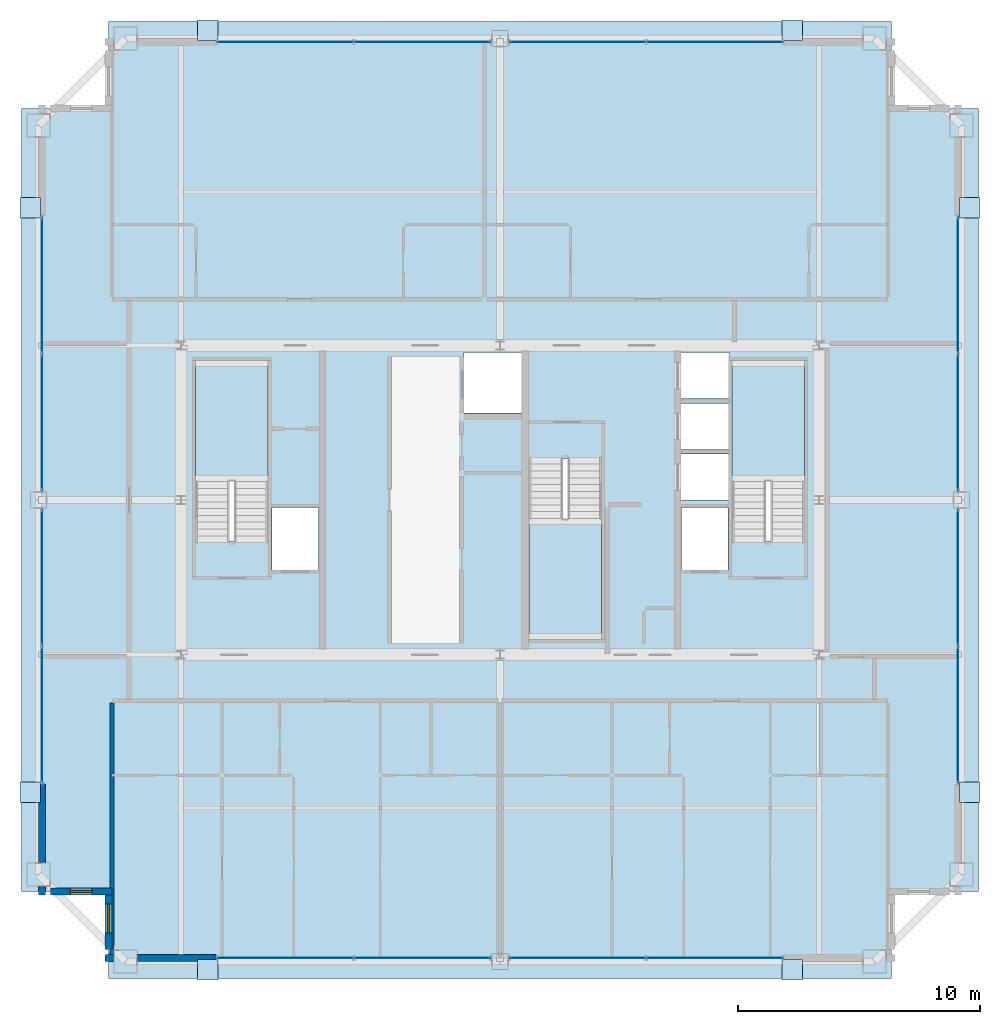
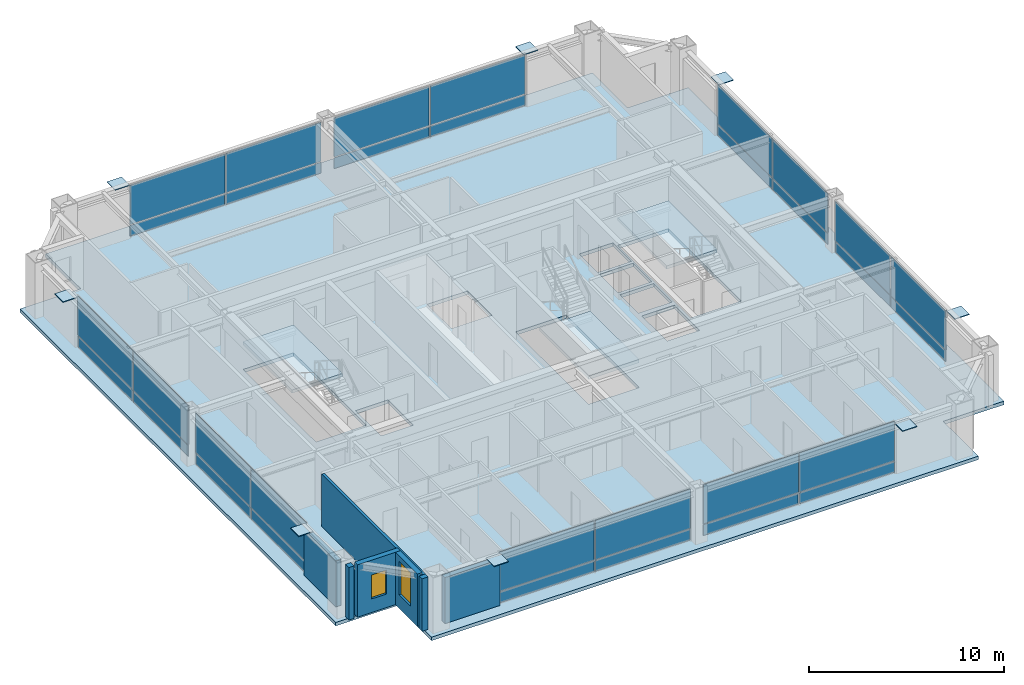
# One storey, part 29 of 34: 40 plates, 7 walls, 4 slabs, 2 windows, 2 openings, 11 elements without a shape of their own.
"""IFC4 building model written with IfcOpenShell, lengths in metres."""

import ifcopenshell
import ifcopenshell.guid

model = None  # the IFC model being written
_history = None  # IfcOwnerHistory: only IFC2X3 demands one
_inside = {}  # id of a spatial element -> (the spatial element, [elements in it])
_under = {}  # id of a project, library or spatial element -> (it, [spatial elements below it])
_declared = {}  # id of a project -> (the project, [libraries it declares])
_typed = {}  # id of a type object -> (the type object, [elements of that type])
_made_of = {}  # id of a material, layer set ... -> (it, [elements and type objects made of it])


def new_model(schema):
    """Start an empty IFC model of exactly this schema.

    Asked for "IFC4X3", IfcOpenShell would pick the latest addendum, in which some entities
    have other attributes; the version numbers below select the first issue.
    IFC2X3 requires an IfcOwnerHistory on every rooted entity: one is made here for all.
    """
    global model, _history
    if schema == "IFC4X3":
        model = ifcopenshell.file(schema_version=(4, 3, 0, 0))
    else:
        model = ifcopenshell.file(schema=schema)
    _inside.clear()
    _under.clear()
    _declared.clear()
    _typed.clear()
    _made_of.clear()
    _history = None
    if model.schema == "IFC2X3":
        org = make("IfcOrganization", Name="unknown")
        user = make(
            "IfcPersonAndOrganization",
            ThePerson=make("IfcPerson", FamilyName="unknown"),
            TheOrganization=org,
        )
        app = make(
            "IfcApplication",
            ApplicationDeveloper=org,
            Version="unknown",
            ApplicationFullName="unknown",
            ApplicationIdentifier="unknown",
        )
        _history = make(
            "IfcOwnerHistory",
            OwningUser=user,
            OwningApplication=app,
            ChangeAction="ADDED",
            CreationDate=0,
        )
    return model


def make(cls, **values):
    """One entity of the class cls with the attributes given. An attribute that is None is left unset."""
    return model.create_entity(
        cls, **{name: value for name, value in values.items() if value is not None}
    )


def rooted(cls, **values):
    """An entity with a GlobalId (a new one), such as an element, a storey or a relation."""
    return make(cls, GlobalId=ifcopenshell.guid.new(), OwnerHistory=_history, **values)


def si_unit(unit_type, name, prefix=None):
    """IfcSIUnit, for example si_unit("LENGTHUNIT", "METRE", prefix="MILLI")."""
    return make("IfcSIUnit", UnitType=unit_type, Prefix=prefix, Name=name)


def assignment(units):
    """IfcUnitAssignment: the units of a project."""
    return None if units is None else make("IfcUnitAssignment", Units=units)


def point(xyz):
    """IfcCartesianPoint."""
    return None if xyz is None else make("IfcCartesianPoint", Coordinates=xyz)


def direction(xyz):
    """IfcDirection."""
    return None if xyz is None else make("IfcDirection", DirectionRatios=xyz)


def frame(location, z_axis=None, x_axis=None):
    """IfcAxis2Placement3D, a coordinate frame: its origin and axes. An axis left out is left unset."""
    return make(
        "IfcAxis2Placement3D",
        Location=point(location),
        Axis=direction(z_axis),
        RefDirection=direction(x_axis),
    )


def frame_2d(location, x_axis=None):
    """IfcAxis2Placement2D, a coordinate frame in the plane: its origin and x axis."""
    return make(
        "IfcAxis2Placement2D", Location=point(location), RefDirection=direction(x_axis)
    )


def origin():
    """The frame at (0, 0, 0) with its axes left unset."""
    return frame((0.0, 0.0, 0.0))


def origin_2d():
    """The frame at (0, 0) in the plane with its x axis left unset."""
    return frame_2d((0.0, 0.0))


def place(relative_to, where):
    """IfcLocalPlacement: puts the frame where relative to a parent placement (None: the world)."""
    return make(
        "IfcLocalPlacement", PlacementRelTo=relative_to, RelativePlacement=where
    )


def context(
    kind, dimensions, precision=None, world=None, true_north=None, identifier=None
):
    """IfcGeometricRepresentationContext, for example the 3D "Model" context."""
    return make(
        "IfcGeometricRepresentationContext",
        ContextIdentifier=identifier,
        ContextType=kind,
        CoordinateSpaceDimension=dimensions,
        Precision=precision,
        WorldCoordinateSystem=world,
        TrueNorth=true_north,
    )


def subcontext(parent, identifier, kind, view, scale=None):
    """IfcGeometricRepresentationSubContext, for example "Body" below "Model"."""
    return make(
        "IfcGeometricRepresentationSubContext",
        ContextIdentifier=identifier,
        ContextType=kind,
        ParentContext=parent,
        TargetScale=scale,
        TargetView=view,
    )


def project(units=None, contexts=None):
    """IfcProject with its units and contexts."""
    return rooted(
        "IfcProject",
        Name="project",
        RepresentationContexts=contexts,
        UnitsInContext=assignment(units),
    )


def spatial(cls, under=None, at=None, **own):
    """A site, building, storey or space (cls), placed at a placement, below another one or the project."""
    s = rooted(cls, ObjectPlacement=at, **own)
    if under is not None:
        _under.setdefault(under.id(), (under, []))[1].append(s)
    return s


def polyline(points):
    """IfcPolyline through the points."""
    return make("IfcPolyline", Points=[point(p) for p in points])


def profile(cls, at=None, kind="AREA", **sizes):
    """A parametric profile (cls). Its sizes go by their IFC names, for example OverallWidth=200.0."""
    return make(cls, ProfileType=kind, Position=at, **sizes)


def rectangle(**sizes):
    """IfcRectangleProfileDef."""
    return profile("IfcRectangleProfileDef", **sizes)


def outline(outer, holes=None, kind="AREA"):
    """IfcArbitraryClosedProfileDef: a profile drawn as a closed curve; with holes, ...WithVoids."""
    if holes is None:
        return make("IfcArbitraryClosedProfileDef", ProfileType=kind, OuterCurve=outer)
    return make(
        "IfcArbitraryProfileDefWithVoids",
        ProfileType=kind,
        OuterCurve=outer,
        InnerCurves=holes,
    )


def extrude(swept, where, along, depth):
    """IfcExtrudedAreaSolid: the profile swept, set in the frame where, extruded along a direction by depth."""
    return make(
        "IfcExtrudedAreaSolid",
        SweptArea=swept,
        Position=where,
        ExtrudedDirection=direction(along),
        Depth=depth,
    )


def shape(context_of_items, identifier, shape_type, items):
    """IfcShapeRepresentation: the items that make up one representation, for example the "Body"."""
    return make(
        "IfcShapeRepresentation",
        ContextOfItems=context_of_items,
        RepresentationIdentifier=identifier,
        RepresentationType=shape_type,
        Items=items,
    )


def source(mapping_origin, context_of_items, identifier, shape_type, items):
    """IfcRepresentationMap: a shape defined once, which mapped items show again and again."""
    return make(
        "IfcRepresentationMap",
        MappingOrigin=mapping_origin,
        MappedRepresentation=shape(context_of_items, identifier, shape_type, items),
    )


def transform(
    local_origin,
    x_axis=None,
    y_axis=None,
    z_axis=None,
    scale=None,
    scale2=None,
    scale3=None,
    uniform=True,
):
    """IfcCartesianTransformationOperator3D, or its non-uniform kind. x_axis, y_axis, z_axis: its Axis1, 2, 3."""
    if uniform:
        return make(
            "IfcCartesianTransformationOperator3D",
            Axis1=direction(x_axis),
            Axis2=direction(y_axis),
            LocalOrigin=point(local_origin),
            Scale=scale,
            Axis3=direction(z_axis),
        )
    return make(
        "IfcCartesianTransformationOperator3DnonUniform",
        Axis1=direction(x_axis),
        Axis2=direction(y_axis),
        LocalOrigin=point(local_origin),
        Scale=scale,
        Axis3=direction(z_axis),
        Scale2=scale2,
        Scale3=scale3,
    )


def mapped(mapping_source, mapping_target):
    """IfcMappedItem: shows the shape of a source again, moved by a transform."""
    return make(
        "IfcMappedItem", MappingSource=mapping_source, MappingTarget=mapping_target
    )


def material(Name=None, Category=None):
    """IfcMaterial."""
    return make("IfcMaterial", Name=Name, Category=Category)


def layer(
    of_material, thickness, ventilated=None, Name=None, Category=None, Priority=None
):
    """IfcMaterialLayer: one layer of a wall or slab, of a material (None: an air gap)."""
    return make(
        "IfcMaterialLayer",
        Material=of_material,
        LayerThickness=thickness,
        IsVentilated=ventilated,
        Name=Name,
        Category=Category,
        Priority=Priority,
    )


def layer_set(layers, Name=None):
    """IfcMaterialLayerSet."""
    return make("IfcMaterialLayerSet", MaterialLayers=layers, LayerSetName=Name)


def made_of(thing, what):
    """Note that an element or type object is made of a material, layer set ...; save() writes the relation."""
    if what is not None:
        _made_of.setdefault(what.id(), (what, []))[1].append(thing)
    return thing


def type_object(cls, material=None, **own):
    """A type object (cls), such as IfcWallType, which elements share."""
    return made_of(rooted(cls, **own), material)


def element(
    cls,
    number,
    at=None,
    inside=None,
    cuts=None,
    type_object=None,
    material=None,
    context=None,
    identifier="Body",
    shape_type=None,
    held_by="IfcProductDefinitionShape",
    body=None,
    shapes=None,
    **own,
):
    """One element of the class cls, such as IfcWall. Its Tag is "e" and its number.

    at: its placement. inside: the storey or other place that contains it. cuts: it is an
    opening in that element (IfcRelVoidsElement). A single representation is given by context,
    identifier, shape_type and body (its items); several are given by shapes. held_by: the class
    of the entity that holds the representations. save() writes the other relations.
    """
    e = rooted(cls, Tag="e%d" % number, ObjectPlacement=at, **own)
    if body is not None:
        shapes = [shape(context, identifier, shape_type, body)]
    if shapes is not None:
        e.Representation = make(held_by, Representations=shapes)
    if inside is not None:
        _inside.setdefault(inside.id(), (inside, []))[1].append(e)
    if cuts is not None:
        rooted(
            "IfcRelVoidsElement", RelatingBuildingElement=cuts, RelatedOpeningElement=e
        )
    if type_object is not None:
        _typed.setdefault(type_object.id(), (type_object, []))[1].append(e)
    return made_of(e, material)


def fill(opening, filler):
    """IfcRelFillsElement: the door or window that sits in an opening."""
    return rooted(
        "IfcRelFillsElement",
        RelatingOpeningElement=opening,
        RelatedBuildingElement=filler,
    )


def aggregate(whole, parts):
    """IfcRelAggregates: a whole, such as a stair, and the parts it consists of."""
    return rooted("IfcRelAggregates", RelatingObject=whole, RelatedObjects=parts)


def save(model, path):
    """Write the relations noted so far, then the file.

    IfcRelAggregates (storeys below a building ...), IfcRelContainedInSpatialStructure (elements
    in a storey), IfcRelDefinesByType, IfcRelAssociatesMaterial and IfcRelDeclares: one each for
    every whole, place, type object, material and project.
    """
    for whole, parts in _under.values():
        aggregate(whole, parts)
    for where, things in _inside.values():
        rooted(
            "IfcRelContainedInSpatialStructure",
            RelatedElements=things,
            RelatingStructure=where,
        )
    for kind, things in _typed.values():
        rooted("IfcRelDefinesByType", RelatedObjects=things, RelatingType=kind)
    for what, things in _made_of.values():
        rooted("IfcRelAssociatesMaterial", RelatedObjects=things, RelatingMaterial=what)
    for by, libraries in _declared.values():
        rooted("IfcRelDeclares", RelatingContext=by, RelatedDefinitions=libraries)
    model.write(path)


model = new_model("IFC4")

# Units and contexts
model_context = context("Model", 3, precision=1e-05, world=origin(), true_north=direction((0.0, 1.0)))
body_context = subcontext(model_context, "Body", "Model", "MODEL_VIEW")
ifc_project = project(units=[si_unit("LENGTHUNIT", "METRE"), si_unit("AREAUNIT", "SQUARE_METRE"), si_unit("VOLUMEUNIT", "CUBIC_METRE"), si_unit("PLANEANGLEUNIT", "RADIAN"), si_unit("MASSUNIT", "GRAM", prefix="KILO"), si_unit("THERMODYNAMICTEMPERATUREUNIT", "KELVIN"), si_unit("POWERUNIT", "WATT")], contexts=[model_context])

# Site, building, storey
site_placement = place(None, origin())
site = spatial("IfcSite", under=ifc_project, at=site_placement, CompositionType="ELEMENT")
building_placement = place(site_placement, origin())
building = spatial("IfcBuilding", under=site, at=building_placement, Name="Yuzanri Waterfront Tower", CompositionType="ELEMENT")
storey_placement = place(building_placement, frame((0.0, 0.0, 325.199951171875)))
storey = spatial("IfcBuildingStorey", under=building, at=storey_placement, Name="L87", CompositionType="ELEMENT", Elevation=325.199951171875)

# Stair, slab
ifc_material_1 = material(Name="Concrete C40", Category="concrete")
stair_type = type_object("IfcStairType", Name="Concrete C40 Core Dogleg Exit Stair", PredefinedType="HALF_TURN_STAIR", material=ifc_material_1)
stair_1_placement = place(storey_placement, origin())
stair_1 = element("IfcStair", 1, at=stair_1_placement, inside=storey, type_object=stair_type, Name="L87 Smoke-Proof Core Stair ST-01", PredefinedType="HALF_TURN_STAIR")
ifc_material_2 = material(Name="Concrete C40", Category="concrete")
ifc_layer_1 = layer(ifc_material_2, 0.179931640625)
ifc_layer_set_1 = layer_set([ifc_layer_1], Name="Concrete C40")
slab_type_1 = type_object("IfcSlabType", Name="Concrete C40 Stair Half-Landing Slab 180", PredefinedType="LANDING", material=ifc_layer_set_1)
slab_1_placement = place(storey_placement, frame((0.0, 0.0, 1.550048828125)))
slab_1 = element("IfcSlab", 2, at=slab_1_placement, type_object=slab_type_1, Name="ST-01 landing 1", PredefinedType="LANDING", context=body_context, shape_type="SweptSolid", body=[
    extrude(outline(polyline([(27.39990234375, 26.56005859375), (27.39990234375, 31.580078125), (24.39990234375, 31.580078125), (24.39990234375, 26.56005859375), (27.39990234375, 26.56005859375)])), origin(), (0.0, 0.0, 1.0), 0.199951171875),
])
aggregate(stair_1, [slab_1])

stair_2_placement = place(storey_placement, origin())
stair_2 = element("IfcStair", 3, at=stair_2_placement, inside=storey, type_object=stair_type, Name="L87 Smoke-Proof Core Stair ST-02", PredefinedType="HALF_TURN_STAIR")
slab_2_placement = place(storey_placement, frame((0.0, 0.0, 1.550048828125)))
slab_2 = element("IfcSlab", 4, at=slab_2_placement, type_object=slab_type_1, Name="ST-02 landing 1", PredefinedType="LANDING", context=body_context, shape_type="SweptSolid", body=[
    extrude(outline(polyline([(49.60009765625, 26.56005859375), (49.60009765625, 31.580078125), (46.60009765625, 31.580078125), (46.60009765625, 26.56005859375), (49.60009765625, 26.56005859375)])), origin(), (0.0, 0.0, 1.0), 0.199951171875),
])
aggregate(stair_2, [slab_2])

stair_3_placement = place(storey_placement, origin())
stair_3 = element("IfcStair", 5, at=stair_3_placement, inside=storey, type_object=stair_type, Name="L87 Smoke-Proof Core Stair ST-03", PredefinedType="HALF_TURN_STAIR")
slab_3_placement = place(storey_placement, frame((0.0, 0.0, 1.550048828125)))
slab_3 = element("IfcSlab", 6, at=slab_3_placement, type_object=slab_type_1, Name="ST-03 landing 1", PredefinedType="LANDING", context=body_context, shape_type="SweptSolid", body=[
    extrude(outline(polyline([(38.199951171875, 25.0400390625), (38.199951171875, 20.02001953125), (41.199951171875, 20.02001953125), (41.199951171875, 25.0400390625), (38.199951171875, 25.0400390625)])), origin(), (0.0, 0.0, 1.0), 0.199951171875),
])
aggregate(stair_3, [slab_3])

# Slab
ifc_material_3 = material(Name="Concrete C40", Category="concrete")
ifc_layer_2 = layer(ifc_material_3, 0.219970703125)
ifc_layer_set_2 = layer_set([ifc_layer_2], Name="Concrete C40")
slab_type_2 = type_object("IfcSlabType", Name="Concrete C40 Tower Typical Structural Floor Slab 220", PredefinedType="FLOOR", material=ifc_layer_set_2)
slab_4_placement = place(storey_placement, frame((0.0, 0.0, -0.219970703125)))
element("IfcSlab", 7, at=slab_4_placement, inside=storey, type_object=slab_type_2, Name="L87 Main Structural Floor Slab", PredefinedType="FLOOR", context=body_context, shape_type="SweptSolid", body=[
    extrude(outline(polyline([(20.800048828125, 6.0), (53.199951171875, 6.0), (53.199951171875, 9.60009765625), (56.800048828125, 9.60009765625), (56.800048828125, 42.0), (53.199951171875, 42.0), (53.199951171875, 45.60009765625), (20.800048828125, 45.60009765625), (20.800048828125, 42.0), (17.199951171875, 42.0), (17.199951171875, 9.60009765625), (20.800048828125, 9.60009765625), (20.800048828125, 6.0)]), holes=[polyline([(27.39990234375, 24.10009765625), (27.39990234375, 31.580078125), (24.39990234375, 31.580078125), (24.39990234375, 24.10009765625), (27.39990234375, 24.10009765625)]), polyline([(49.60009765625, 24.10009765625), (49.60009765625, 31.580078125), (46.60009765625, 31.580078125), (46.60009765625, 24.10009765625), (49.60009765625, 24.10009765625)]), polyline([(38.199951171875, 27.5), (38.199951171875, 20.02001953125), (41.199951171875, 20.02001953125), (41.199951171875, 27.5), (38.199951171875, 27.5)]), polyline([(27.56005859375, 22.89990234375), (29.47998046875, 22.89990234375), (29.47998046875, 25.5), (27.56005859375, 25.5), (27.56005859375, 22.89990234375)]), polyline([(44.52001953125, 22.89990234375), (46.43994140625, 22.89990234375), (46.43994140625, 25.5), (44.52001953125, 25.5), (44.52001953125, 22.89990234375)]), polyline([(35.5, 29.39990234375), (37.89990234375, 29.39990234375), (37.89990234375, 31.89990234375), (35.5, 31.89990234375), (35.5, 29.39990234375)]), polyline([(44.5, 25.800048828125), (46.5, 25.800048828125), (46.5, 27.699951171875), (44.5, 27.699951171875), (44.5, 25.800048828125)]), polyline([(44.5, 27.89990234375), (46.5, 27.89990234375), (46.5, 29.800048828125), (44.5, 29.800048828125), (44.5, 27.89990234375)]), polyline([(44.5, 30.0), (46.5, 30.0), (46.5, 31.89990234375), (44.5, 31.89990234375), (44.5, 30.0)])]), origin(), (0.0, 0.0, 1.0), 0.219970703125),
])

# Plates
ifc_material_4 = material(Name="Steel Q420GJC", Category="steel")
ifc_layer_3 = layer(ifc_material_4, 0.0400390625)
ifc_layer_set_3 = layer_set([ifc_layer_3], Name="Steel Q420GJC")
plate_type_1 = type_object("IfcPlateType", Name="Steel Q420GJC Mega-Brace Gusset and End-Cap Plate 40", PredefinedType="SHEET", material=ifc_layer_set_3)
shared_shape_1 = source(origin(), body_context, "Body", "SweptSolid", [
    extrude(rectangle(XDim=0.85009765625, YDim=0.85009765625, at=origin_2d()), origin(), (0.0, 0.0, 1.0), 0.0400390625),
])
for number, where, z_axis, x_axis, name in (
    (8, (24.89990234375, 6.360107421875, 3.159912109375), (0.0, 0.0, 1.0), (1.0, 0.0, 0.0), "L87 Mega-Brace Apex Cap Plate S-L"),
    (9, (49.10009765625, 6.360107421875, 3.159912109375), (0.0, 0.0, 1.0), (1.0, 0.0, 0.0), "L87 Mega-Brace Apex Cap Plate S-R"),
    (10, (24.89990234375, 45.239990234375, 3.159912109375), (0.0, 0.0, 1.0), (1.0, 0.0, 0.0), "L87 Mega-Brace Apex Cap Plate N-L"),
    (11, (49.10009765625, 45.239990234375, 3.159912109375), (0.0, 0.0, 1.0), (1.0, 0.0, 0.0), "L87 Mega-Brace Apex Cap Plate N-R"),
    (12, (17.56005859375, 13.699951171875, 3.159912109375), (0.0, 0.0, 1.0), (1.0, 0.0, 0.0), "L87 Mega-Brace Apex Cap Plate W-L"),
    (13, (17.56005859375, 37.89990234375, 3.159912109375), (0.0, 0.0, 1.0), (1.0, 0.0, 0.0), "L87 Mega-Brace Apex Cap Plate W-R"),
    (14, (56.43994140625, 13.699951171875, 3.159912109375), (0.0, 0.0, 1.0), (1.0, 0.0, 0.0), "L87 Mega-Brace Apex Cap Plate E-L"),
    (15, (56.43994140625, 37.89990234375, 3.159912109375), (0.0, 0.0, 1.0), (1.0, 0.0, 0.0), "L87 Mega-Brace Apex Cap Plate E-R"),
):
    element("IfcPlate", number, at=place(storey_placement, frame(where, z_axis=z_axis, x_axis=x_axis)), inside=storey, type_object=plate_type_1, Name=name, PredefinedType="SHEET", context=body_context, shape_type="MappedRepresentation", body=[
        mapped(shared_shape_1, transform((0.0, 0.0, 0.0), scale=1.0)),
    ])

# Curtain wall, plates
ifc_material_5 = material(Name="Anodized Architectural Bronze", Category="metal")
ifc_layer_4 = layer(ifc_material_5, 0.159912109375)
ifc_layer_set_4 = layer_set([ifc_layer_4], Name="Anodized Architectural Bronze")
curtain_wall_type = type_object("IfcCurtainWallType", Name="Anodized Bronze High-Rise Penthouse High-Wind Unitized Curtain Wall 6900", PredefinedType="NOTDEFINED", material=ifc_layer_set_4)
curtain_wall_1_placement = place(storey_placement, origin())
curtain_wall_1 = element("IfcCurtainWall", 16, at=curtain_wall_1_placement, inside=storey, type_object=curtain_wall_type, Name="L87 Curtain Wall CW-L87-SL", PredefinedType="NOTDEFINED")
ifc_material_6 = material(Name="Anodized Architectural Bronze", Category="metal")
ifc_layer_5 = layer(ifc_material_6, 0.028076171875)
ifc_layer_set_5 = layer_set([ifc_layer_5], Name="Anodized Architectural Bronze")
plate_type_2 = type_object("IfcPlateType", Name="Bronze Insulated Spandrel Shadow-Box Panel 28", PredefinedType="CURTAIN_PANEL", material=ifc_layer_set_5)
shared_shape_2 = source(origin(), body_context, "Body", "SweptSolid", [
    extrude(rectangle(XDim=5.6201171875, YDim=0.028076171875, at=origin_2d()), origin(), (0.0, 0.0, 1.0), 0.674072265625),
])
plate_1_placement = place(storey_placement, frame((28.10009765625, 6.85009765625, 0.0498046875), z_axis=(0.0, 0.0, 1.0), x_axis=(1.0, 0.0, 0.0)))
plate_1 = element("IfcPlate", 17, at=plate_1_placement, type_object=plate_type_2, Name="CW-L87-SL Spandrel Panel 01", PredefinedType="CURTAIN_PANEL", context=body_context, shape_type="MappedRepresentation", body=[
    mapped(shared_shape_2, transform((0.0, 0.0, 0.0), scale=1.0)),
])
plate_2_placement = place(storey_placement, frame((33.800048828125, 6.85009765625, 0.0498046875), z_axis=(0.0, 0.0, 1.0), x_axis=(1.0, 0.0, 0.0)))
plate_2 = element("IfcPlate", 18, at=plate_2_placement, type_object=plate_type_2, Name="CW-L87-SL Spandrel Panel 02", PredefinedType="CURTAIN_PANEL", context=body_context, shape_type="MappedRepresentation", body=[
    mapped(shared_shape_2, transform((0.0, 0.0, 0.0), scale=1.0)),
])

curtain_wall_2_placement = place(storey_placement, origin())
curtain_wall_2 = element("IfcCurtainWall", 19, at=curtain_wall_2_placement, inside=storey, type_object=curtain_wall_type, Name="L87 Curtain Wall CW-L87-SR", PredefinedType="NOTDEFINED")
plate_3_placement = place(storey_placement, frame((40.199951171875, 6.85009765625, 0.0498046875), z_axis=(0.0, 0.0, 1.0), x_axis=(1.0, 0.0, 0.0)))
plate_3 = element("IfcPlate", 20, at=plate_3_placement, type_object=plate_type_2, Name="CW-L87-SR Spandrel Panel 01", PredefinedType="CURTAIN_PANEL", context=body_context, shape_type="MappedRepresentation", body=[
    mapped(shared_shape_2, transform((0.0, 0.0, 0.0), scale=1.0)),
])
plate_4_placement = place(storey_placement, frame((45.89990234375, 6.85009765625, 0.0498046875), z_axis=(0.0, 0.0, 1.0), x_axis=(1.0, 0.0, 0.0)))
plate_4 = element("IfcPlate", 21, at=plate_4_placement, type_object=plate_type_2, Name="CW-L87-SR Spandrel Panel 02", PredefinedType="CURTAIN_PANEL", context=body_context, shape_type="MappedRepresentation", body=[
    mapped(shared_shape_2, transform((0.0, 0.0, 0.0), scale=1.0)),
])

curtain_wall_3_placement = place(storey_placement, origin())
curtain_wall_3 = element("IfcCurtainWall", 22, at=curtain_wall_3_placement, inside=storey, type_object=curtain_wall_type, Name="L87 Curtain Wall CW-L87-NL", PredefinedType="NOTDEFINED")
plate_5_placement = place(storey_placement, frame((28.10009765625, 44.75, 0.0498046875), z_axis=(0.0, 0.0, 1.0), x_axis=(1.0, 0.0, 0.0)))
plate_5 = element("IfcPlate", 23, at=plate_5_placement, type_object=plate_type_2, Name="CW-L87-NL Spandrel Panel 01", PredefinedType="CURTAIN_PANEL", context=body_context, shape_type="MappedRepresentation", body=[
    mapped(shared_shape_2, transform((0.0, 0.0, 0.0), scale=1.0)),
])
plate_6_placement = place(storey_placement, frame((33.800048828125, 44.75, 0.0498046875), z_axis=(0.0, 0.0, 1.0), x_axis=(1.0, 0.0, 0.0)))
plate_6 = element("IfcPlate", 24, at=plate_6_placement, type_object=plate_type_2, Name="CW-L87-NL Spandrel Panel 02", PredefinedType="CURTAIN_PANEL", context=body_context, shape_type="MappedRepresentation", body=[
    mapped(shared_shape_2, transform((0.0, 0.0, 0.0), scale=1.0)),
])

curtain_wall_4_placement = place(storey_placement, origin())
curtain_wall_4 = element("IfcCurtainWall", 25, at=curtain_wall_4_placement, inside=storey, type_object=curtain_wall_type, Name="L87 Curtain Wall CW-L87-NR", PredefinedType="NOTDEFINED")
plate_7_placement = place(storey_placement, frame((40.199951171875, 44.75, 0.0498046875), z_axis=(0.0, 0.0, 1.0), x_axis=(1.0, 0.0, 0.0)))
plate_7 = element("IfcPlate", 26, at=plate_7_placement, type_object=plate_type_2, Name="CW-L87-NR Spandrel Panel 01", PredefinedType="CURTAIN_PANEL", context=body_context, shape_type="MappedRepresentation", body=[
    mapped(shared_shape_2, transform((0.0, 0.0, 0.0), scale=1.0)),
])
plate_8_placement = place(storey_placement, frame((45.89990234375, 44.75, 0.0498046875), z_axis=(0.0, 0.0, 1.0), x_axis=(1.0, 0.0, 0.0)))
plate_8 = element("IfcPlate", 27, at=plate_8_placement, type_object=plate_type_2, Name="CW-L87-NR Spandrel Panel 02", PredefinedType="CURTAIN_PANEL", context=body_context, shape_type="MappedRepresentation", body=[
    mapped(shared_shape_2, transform((0.0, 0.0, 0.0), scale=1.0)),
])

curtain_wall_5_placement = place(storey_placement, origin())
curtain_wall_5 = element("IfcCurtainWall", 28, at=curtain_wall_5_placement, inside=storey, type_object=curtain_wall_type, Name="L87 Curtain Wall CW-L87-WL", PredefinedType="NOTDEFINED")
plate_9_placement = place(storey_placement, frame((18.050048828125, 16.89990234375, 0.0498046875), z_axis=(0.0, 0.0, 1.0), x_axis=(0.0, 1.0, 0.0)))
plate_9 = element("IfcPlate", 29, at=plate_9_placement, type_object=plate_type_2, Name="CW-L87-WL Spandrel Panel 01", PredefinedType="CURTAIN_PANEL", context=body_context, shape_type="MappedRepresentation", body=[
    mapped(shared_shape_2, transform((0.0, 0.0, 0.0), scale=1.0)),
])
plate_10_placement = place(storey_placement, frame((18.050048828125, 22.60009765625, 0.0498046875), z_axis=(0.0, 0.0, 1.0), x_axis=(0.0, 1.0, 0.0)))
plate_10 = element("IfcPlate", 30, at=plate_10_placement, type_object=plate_type_2, Name="CW-L87-WL Spandrel Panel 02", PredefinedType="CURTAIN_PANEL", context=body_context, shape_type="MappedRepresentation", body=[
    mapped(shared_shape_2, transform((0.0, 0.0, 0.0), scale=1.0)),
])

curtain_wall_6_placement = place(storey_placement, origin())
curtain_wall_6 = element("IfcCurtainWall", 31, at=curtain_wall_6_placement, inside=storey, type_object=curtain_wall_type, Name="L87 Curtain Wall CW-L87-WR", PredefinedType="NOTDEFINED")
plate_11_placement = place(storey_placement, frame((18.050048828125, 29.0, 0.0498046875), z_axis=(0.0, 0.0, 1.0), x_axis=(0.0, 1.0, 0.0)))
plate_11 = element("IfcPlate", 32, at=plate_11_placement, type_object=plate_type_2, Name="CW-L87-WR Spandrel Panel 01", PredefinedType="CURTAIN_PANEL", context=body_context, shape_type="MappedRepresentation", body=[
    mapped(shared_shape_2, transform((0.0, 0.0, 0.0), scale=1.0)),
])
plate_12_placement = place(storey_placement, frame((18.050048828125, 34.699951171875, 0.0498046875), z_axis=(0.0, 0.0, 1.0), x_axis=(0.0, 1.0, 0.0)))
plate_12 = element("IfcPlate", 33, at=plate_12_placement, type_object=plate_type_2, Name="CW-L87-WR Spandrel Panel 02", PredefinedType="CURTAIN_PANEL", context=body_context, shape_type="MappedRepresentation", body=[
    mapped(shared_shape_2, transform((0.0, 0.0, 0.0), scale=1.0)),
])

curtain_wall_7_placement = place(storey_placement, origin())
curtain_wall_7 = element("IfcCurtainWall", 34, at=curtain_wall_7_placement, inside=storey, type_object=curtain_wall_type, Name="L87 Curtain Wall CW-L87-EL", PredefinedType="NOTDEFINED")
plate_13_placement = place(storey_placement, frame((55.949951171875, 16.89990234375, 0.0498046875), z_axis=(0.0, 0.0, 1.0), x_axis=(0.0, 1.0, 0.0)))
plate_13 = element("IfcPlate", 35, at=plate_13_placement, type_object=plate_type_2, Name="CW-L87-EL Spandrel Panel 01", PredefinedType="CURTAIN_PANEL", context=body_context, shape_type="MappedRepresentation", body=[
    mapped(shared_shape_2, transform((0.0, 0.0, 0.0), scale=1.0)),
])
plate_14_placement = place(storey_placement, frame((55.949951171875, 22.60009765625, 0.0498046875), z_axis=(0.0, 0.0, 1.0), x_axis=(0.0, 1.0, 0.0)))
plate_14 = element("IfcPlate", 36, at=plate_14_placement, type_object=plate_type_2, Name="CW-L87-EL Spandrel Panel 02", PredefinedType="CURTAIN_PANEL", context=body_context, shape_type="MappedRepresentation", body=[
    mapped(shared_shape_2, transform((0.0, 0.0, 0.0), scale=1.0)),
])

curtain_wall_8_placement = place(storey_placement, origin())
curtain_wall_8 = element("IfcCurtainWall", 37, at=curtain_wall_8_placement, inside=storey, type_object=curtain_wall_type, Name="L87 Curtain Wall CW-L87-ER", PredefinedType="NOTDEFINED")
plate_15_placement = place(storey_placement, frame((55.949951171875, 29.0, 0.0498046875), z_axis=(0.0, 0.0, 1.0), x_axis=(0.0, 1.0, 0.0)))
plate_15 = element("IfcPlate", 38, at=plate_15_placement, type_object=plate_type_2, Name="CW-L87-ER Spandrel Panel 01", PredefinedType="CURTAIN_PANEL", context=body_context, shape_type="MappedRepresentation", body=[
    mapped(shared_shape_2, transform((0.0, 0.0, 0.0), scale=1.0)),
])
plate_16_placement = place(storey_placement, frame((55.949951171875, 34.699951171875, 0.0498046875), z_axis=(0.0, 0.0, 1.0), x_axis=(0.0, 1.0, 0.0)))
plate_16 = element("IfcPlate", 39, at=plate_16_placement, type_object=plate_type_2, Name="CW-L87-ER Spandrel Panel 02", PredefinedType="CURTAIN_PANEL", context=body_context, shape_type="MappedRepresentation", body=[
    mapped(shared_shape_2, transform((0.0, 0.0, 0.0), scale=1.0)),
])

# Plate
ifc_material_7 = material(Name="Triple Low-E Laminated Insulated Glass", Category="glass")
ifc_layer_6 = layer(ifc_material_7, 0.0439453125)
ifc_layer_set_6 = layer_set([ifc_layer_6], Name="Triple Low-E Laminated Insulated Glass")
plate_type_3 = type_object("IfcPlateType", Name="Triple Glazed Acoustic Vision Glass Panel 44", PredefinedType="CURTAIN_PANEL", material=ifc_layer_set_6)
shared_shape_3 = source(origin(), body_context, "Body", "SweptSolid", [
    extrude(rectangle(XDim=5.6201171875, YDim=0.0439453125, at=origin_2d()), origin(), (0.0, 0.0, 1.0), 2.446044921875),
])
plate_17_placement = place(storey_placement, frame((28.10009765625, 6.85009765625, 0.7841796875), z_axis=(0.0, 0.0, 1.0), x_axis=(1.0, 0.0, 0.0)))
plate_17 = element("IfcPlate", 40, at=plate_17_placement, type_object=plate_type_3, Name="CW-L87-SL Vision Glass Panel 01", PredefinedType="CURTAIN_PANEL", context=body_context, shape_type="MappedRepresentation", body=[
    mapped(shared_shape_3, transform((0.0, 0.0, 0.0), scale=1.0)),
])

plate_18_placement = place(storey_placement, frame((33.800048828125, 6.85009765625, 0.7841796875), z_axis=(0.0, 0.0, 1.0), x_axis=(1.0, 0.0, 0.0)))
plate_18 = element("IfcPlate", 41, at=plate_18_placement, type_object=plate_type_3, Name="CW-L87-SL Vision Glass Panel 02", PredefinedType="CURTAIN_PANEL", context=body_context, shape_type="MappedRepresentation", body=[
    mapped(shared_shape_3, transform((0.0, 0.0, 0.0), scale=1.0)),
])

aggregate(curtain_wall_1, [plate_1, plate_17, plate_2, plate_18])

plate_19_placement = place(storey_placement, frame((40.199951171875, 6.85009765625, 0.7841796875), z_axis=(0.0, 0.0, 1.0), x_axis=(1.0, 0.0, 0.0)))
plate_19 = element("IfcPlate", 42, at=plate_19_placement, type_object=plate_type_3, Name="CW-L87-SR Vision Glass Panel 01", PredefinedType="CURTAIN_PANEL", context=body_context, shape_type="MappedRepresentation", body=[
    mapped(shared_shape_3, transform((0.0, 0.0, 0.0), scale=1.0)),
])

plate_20_placement = place(storey_placement, frame((45.89990234375, 6.85009765625, 0.7841796875), z_axis=(0.0, 0.0, 1.0), x_axis=(1.0, 0.0, 0.0)))
plate_20 = element("IfcPlate", 43, at=plate_20_placement, type_object=plate_type_3, Name="CW-L87-SR Vision Glass Panel 02", PredefinedType="CURTAIN_PANEL", context=body_context, shape_type="MappedRepresentation", body=[
    mapped(shared_shape_3, transform((0.0, 0.0, 0.0), scale=1.0)),
])

aggregate(curtain_wall_2, [plate_3, plate_19, plate_4, plate_20])

plate_21_placement = place(storey_placement, frame((28.10009765625, 44.75, 0.7841796875), z_axis=(0.0, 0.0, 1.0), x_axis=(1.0, 0.0, 0.0)))
plate_21 = element("IfcPlate", 44, at=plate_21_placement, type_object=plate_type_3, Name="CW-L87-NL Vision Glass Panel 01", PredefinedType="CURTAIN_PANEL", context=body_context, shape_type="MappedRepresentation", body=[
    mapped(shared_shape_3, transform((0.0, 0.0, 0.0), scale=1.0)),
])

plate_22_placement = place(storey_placement, frame((33.800048828125, 44.75, 0.7841796875), z_axis=(0.0, 0.0, 1.0), x_axis=(1.0, 0.0, 0.0)))
plate_22 = element("IfcPlate", 45, at=plate_22_placement, type_object=plate_type_3, Name="CW-L87-NL Vision Glass Panel 02", PredefinedType="CURTAIN_PANEL", context=body_context, shape_type="MappedRepresentation", body=[
    mapped(shared_shape_3, transform((0.0, 0.0, 0.0), scale=1.0)),
])

aggregate(curtain_wall_3, [plate_5, plate_21, plate_6, plate_22])

plate_23_placement = place(storey_placement, frame((40.199951171875, 44.75, 0.7841796875), z_axis=(0.0, 0.0, 1.0), x_axis=(1.0, 0.0, 0.0)))
plate_23 = element("IfcPlate", 46, at=plate_23_placement, type_object=plate_type_3, Name="CW-L87-NR Vision Glass Panel 01", PredefinedType="CURTAIN_PANEL", context=body_context, shape_type="MappedRepresentation", body=[
    mapped(shared_shape_3, transform((0.0, 0.0, 0.0), scale=1.0)),
])

plate_24_placement = place(storey_placement, frame((45.89990234375, 44.75, 0.7841796875), z_axis=(0.0, 0.0, 1.0), x_axis=(1.0, 0.0, 0.0)))
plate_24 = element("IfcPlate", 47, at=plate_24_placement, type_object=plate_type_3, Name="CW-L87-NR Vision Glass Panel 02", PredefinedType="CURTAIN_PANEL", context=body_context, shape_type="MappedRepresentation", body=[
    mapped(shared_shape_3, transform((0.0, 0.0, 0.0), scale=1.0)),
])

aggregate(curtain_wall_4, [plate_7, plate_23, plate_8, plate_24])

plate_25_placement = place(storey_placement, frame((18.050048828125, 16.89990234375, 0.7841796875), z_axis=(0.0, 0.0, 1.0), x_axis=(0.0, 1.0, 0.0)))
plate_25 = element("IfcPlate", 48, at=plate_25_placement, type_object=plate_type_3, Name="CW-L87-WL Vision Glass Panel 01", PredefinedType="CURTAIN_PANEL", context=body_context, shape_type="MappedRepresentation", body=[
    mapped(shared_shape_3, transform((0.0, 0.0, 0.0), scale=1.0)),
])

plate_26_placement = place(storey_placement, frame((18.050048828125, 22.60009765625, 0.7841796875), z_axis=(0.0, 0.0, 1.0), x_axis=(0.0, 1.0, 0.0)))
plate_26 = element("IfcPlate", 49, at=plate_26_placement, type_object=plate_type_3, Name="CW-L87-WL Vision Glass Panel 02", PredefinedType="CURTAIN_PANEL", context=body_context, shape_type="MappedRepresentation", body=[
    mapped(shared_shape_3, transform((0.0, 0.0, 0.0), scale=1.0)),
])

aggregate(curtain_wall_5, [plate_9, plate_25, plate_10, plate_26])

plate_27_placement = place(storey_placement, frame((18.050048828125, 29.0, 0.7841796875), z_axis=(0.0, 0.0, 1.0), x_axis=(0.0, 1.0, 0.0)))
plate_27 = element("IfcPlate", 50, at=plate_27_placement, type_object=plate_type_3, Name="CW-L87-WR Vision Glass Panel 01", PredefinedType="CURTAIN_PANEL", context=body_context, shape_type="MappedRepresentation", body=[
    mapped(shared_shape_3, transform((0.0, 0.0, 0.0), scale=1.0)),
])

plate_28_placement = place(storey_placement, frame((18.050048828125, 34.699951171875, 0.7841796875), z_axis=(0.0, 0.0, 1.0), x_axis=(0.0, 1.0, 0.0)))
plate_28 = element("IfcPlate", 51, at=plate_28_placement, type_object=plate_type_3, Name="CW-L87-WR Vision Glass Panel 02", PredefinedType="CURTAIN_PANEL", context=body_context, shape_type="MappedRepresentation", body=[
    mapped(shared_shape_3, transform((0.0, 0.0, 0.0), scale=1.0)),
])

aggregate(curtain_wall_6, [plate_11, plate_27, plate_12, plate_28])

plate_29_placement = place(storey_placement, frame((55.949951171875, 16.89990234375, 0.7841796875), z_axis=(0.0, 0.0, 1.0), x_axis=(0.0, 1.0, 0.0)))
plate_29 = element("IfcPlate", 52, at=plate_29_placement, type_object=plate_type_3, Name="CW-L87-EL Vision Glass Panel 01", PredefinedType="CURTAIN_PANEL", context=body_context, shape_type="MappedRepresentation", body=[
    mapped(shared_shape_3, transform((0.0, 0.0, 0.0), scale=1.0)),
])

plate_30_placement = place(storey_placement, frame((55.949951171875, 22.60009765625, 0.7841796875), z_axis=(0.0, 0.0, 1.0), x_axis=(0.0, 1.0, 0.0)))
plate_30 = element("IfcPlate", 53, at=plate_30_placement, type_object=plate_type_3, Name="CW-L87-EL Vision Glass Panel 02", PredefinedType="CURTAIN_PANEL", context=body_context, shape_type="MappedRepresentation", body=[
    mapped(shared_shape_3, transform((0.0, 0.0, 0.0), scale=1.0)),
])

aggregate(curtain_wall_7, [plate_13, plate_29, plate_14, plate_30])

plate_31_placement = place(storey_placement, frame((55.949951171875, 29.0, 0.7841796875), z_axis=(0.0, 0.0, 1.0), x_axis=(0.0, 1.0, 0.0)))
plate_31 = element("IfcPlate", 54, at=plate_31_placement, type_object=plate_type_3, Name="CW-L87-ER Vision Glass Panel 01", PredefinedType="CURTAIN_PANEL", context=body_context, shape_type="MappedRepresentation", body=[
    mapped(shared_shape_3, transform((0.0, 0.0, 0.0), scale=1.0)),
])

plate_32_placement = place(storey_placement, frame((55.949951171875, 34.699951171875, 0.7841796875), z_axis=(0.0, 0.0, 1.0), x_axis=(0.0, 1.0, 0.0)))
plate_32 = element("IfcPlate", 55, at=plate_32_placement, type_object=plate_type_3, Name="CW-L87-ER Vision Glass Panel 02", PredefinedType="CURTAIN_PANEL", context=body_context, shape_type="MappedRepresentation", body=[
    mapped(shared_shape_3, transform((0.0, 0.0, 0.0), scale=1.0)),
])

aggregate(curtain_wall_8, [plate_15, plate_31, plate_16, plate_32])

# Wall, opening, window
ifc_material_8 = material(Name="Honed Chongqing Dark Basalt Stone", Category="masonry")
ifc_layer_7 = layer(ifc_material_8, 0.300048828125)
ifc_layer_set_7 = layer_set([ifc_layer_7], Name="Honed Chongqing Dark Basalt Stone")
wall_type_1 = type_object("IfcWallType", Name="Bronze Rainscreen Insulated Spandrel Portal Wall 300", PredefinedType="SOLIDWALL", material=ifc_layer_set_7)
wall_1_placement = place(storey_placement, frame((18.39990234375, 9.60009765625, 0.0), z_axis=(0.0, 0.0, 1.0), x_axis=(1.0, 0.0, 0.0)))
wall_1 = element("IfcWall", 56, at=wall_1_placement, inside=storey, type_object=wall_type_1, Name="L87 Notched Corner Masonry Wall SW-X", PredefinedType="SOLIDWALL", context=body_context, shape_type="SweptSolid", body=[
    extrude(rectangle(XDim=2.550048828125, YDim=0.300048828125, at=frame_2d((1.27490234375, 0.0))), origin(), (0.0, 0.0, 1.0), 3.280029296875),
])
opening_1_placement = place(wall_1_placement, frame((0.824951171875, 0.0, 0.85009765625)))
opening_1 = element("IfcOpeningElement", 57, at=opening_1_placement, cuts=wall_1, Name="Opening WN-05", PredefinedType="OPENING", context=body_context, shape_type="SweptSolid", body=[
    extrude(rectangle(XDim=0.89990234375, YDim=1.5, at=frame_2d((0.449951171875, 0.75))), frame((0.0, 0.1650390625, 0.0), z_axis=(0.0, -1.0, 0.0), x_axis=(1.0, 0.0, 0.0)), (0.0, 0.0, 1.0), 0.329833984375),
])
ifc_material_9 = material(Name="Double-Silver Low-E Insulated Glass", Category="glass")
window_type_1 = type_object("IfcWindowType", Name="Anodized Bronze Service and Stairwell Smoke-Vent Window 900x1500", PartitioningType="SINGLE_PANEL", PredefinedType="WINDOW", material=ifc_material_9)
shared_shape_4 = source(origin(), body_context, "Body", "SweptSolid", [
    extrude(rectangle(XDim=0.89990234375, YDim=1.5, at=frame_2d((0.449951171875, 0.75))), frame((0.0, 0.030029296875, 0.0), z_axis=(0.0, -1.0, 0.0), x_axis=(1.0, 0.0, 0.0)), (0.0, 0.0, 1.0), 0.06005859375),
])
window_1_placement = place(opening_1_placement, origin())
window_1 = element("IfcWindow", 58, at=window_1_placement, inside=storey, type_object=window_type_1, Name="L87 Notched Corner Window SW-X", OverallHeight=1.5, OverallWidth=0.89990234375, PartitioningType="SINGLE_PANEL", PredefinedType="WINDOW", context=body_context, shape_type="MappedRepresentation", body=[
    mapped(shared_shape_4, transform((0.0, 0.0, 0.0), scale=1.0)),
])
fill(opening_1, window_1)

wall_2_placement = place(storey_placement, frame((20.800048828125, 9.75, 0.0), z_axis=(0.0, 0.0, 1.0), x_axis=(0.0, -1.0, 0.0)))
wall_2 = element("IfcWall", 59, at=wall_2_placement, inside=storey, type_object=wall_type_1, Name="L87 Notched Corner Masonry Wall SW-Y", PredefinedType="SOLIDWALL", context=body_context, shape_type="SweptSolid", body=[
    extrude(rectangle(XDim=2.550048828125, YDim=0.300048828125, at=frame_2d((1.27490234375, 0.0))), origin(), (0.0, 0.0, 1.0), 3.280029296875),
])
opening_2_placement = place(wall_2_placement, frame((0.675048828125, 0.0, 0.85009765625)))
opening_2 = element("IfcOpeningElement", 60, at=opening_2_placement, cuts=wall_2, Name="Opening WN-02", PredefinedType="OPENING", context=body_context, shape_type="SweptSolid", body=[
    extrude(rectangle(XDim=1.199951171875, YDim=2.10009765625, at=frame_2d((0.60009765625, 1.050048828125))), frame((0.0, 0.1650390625, 0.0), z_axis=(0.0, -1.0, 0.0), x_axis=(1.0, 0.0, 0.0)), (0.0, 0.0, 1.0), 0.329833984375),
])
ifc_material_10 = material(Name="Double-Silver Low-E Insulated Glass", Category="glass")
window_type_2 = type_object("IfcWindowType", Name="Anodized Bronze Notched Corner Deep-Set Slot Window 1200x2100", PartitioningType="SINGLE_PANEL", PredefinedType="WINDOW", material=ifc_material_10)
shared_shape_5 = source(origin(), body_context, "Body", "SweptSolid", [
    extrude(rectangle(XDim=1.199951171875, YDim=2.10009765625, at=frame_2d((0.60009765625, 1.050048828125))), frame((0.0, 0.030029296875, 0.0), z_axis=(0.0, -1.0, 0.0), x_axis=(1.0, 0.0, 0.0)), (0.0, 0.0, 1.0), 0.06005859375),
])
window_2_placement = place(opening_2_placement, origin())
window_2 = element("IfcWindow", 61, at=window_2_placement, inside=storey, type_object=window_type_2, Name="L87 Notched Corner Window SW-Y", OverallHeight=2.10009765625, OverallWidth=1.199951171875, PartitioningType="SINGLE_PANEL", PredefinedType="WINDOW", context=body_context, shape_type="MappedRepresentation", body=[
    mapped(shared_shape_5, transform((0.0, 0.0, 0.0), scale=1.0)),
])
fill(opening_2, window_2)

# Walls
shared_shape_6 = source(origin(), body_context, "Body", "SweptSolid", [
    extrude(rectangle(XDim=3.25, YDim=0.300048828125, at=frame_2d((1.625, 0.0))), origin(), (0.0, 0.0, 1.0), 2.885009765625),
])
for number, where, z_axis, x_axis, name in (
    (62, (22.0, 6.85009765625, 0.0), (0.0, 0.0, 1.0), (1.0, 0.0, 0.0), "L87 S Left Braced Masonry Shoulder"),
    (63, (18.050048828125, 10.800048828125, 0.0), (0.0, 0.0, 1.0), (0.0, 1.0, 0.0), "L87 W Left Braced Masonry Shoulder"),
):
    element("IfcWall", number, at=place(storey_placement, frame(where, z_axis=z_axis, x_axis=x_axis)), inside=storey, type_object=wall_type_1, Name=name, PredefinedType="SOLIDWALL", context=body_context, shape_type="MappedRepresentation", body=[
        mapped(shared_shape_6, transform((0.0, 0.0, 0.0), scale=1.0)),
    ])
shared_shape_7 = source(origin(), body_context, "Body", "SweptSolid", [
    extrude(rectangle(XDim=0.35009765625, YDim=0.300048828125, at=frame_2d((0.175048828125, 0.0))), origin(), (0.0, 0.0, 1.0), 3.280029296875),
])
for number, where, z_axis, x_axis, name in (
    (64, (20.64990234375, 6.85009765625, 0.0), (0.0, 0.0, 1.0), (1.0, 0.0, 0.0), "L87 Corner Column Shoulder Return CSW"),
    (65, (18.050048828125, 9.449951171875, 0.0), (0.0, 0.0, 1.0), (0.0, 1.0, 0.0), "L87 Corner Column Shoulder Return CWS"),
):
    element("IfcWall", number, at=place(storey_placement, frame(where, z_axis=z_axis, x_axis=x_axis)), inside=storey, type_object=wall_type_1, Name=name, PredefinedType="SOLIDWALL", context=body_context, shape_type="MappedRepresentation", body=[
        mapped(shared_shape_7, transform((0.0, 0.0, 0.0), scale=1.0)),
    ])
ifc_material_11 = material(Name="Gypsum Fireboard Acoustic Stud Wall", Category="gypsum")
ifc_layer_8 = layer(ifc_material_11, 0.159912109375)
ifc_layer_set_8 = layer_set([ifc_layer_8], Name="Gypsum Fireboard Acoustic Stud Wall")
wall_type_2 = type_object("IfcWallType", Name="Acoustic Suite Demising Partition 160", PredefinedType="PARTITIONING", material=ifc_layer_set_8)
shared_shape_8 = source(origin(), body_context, "Body", "SweptSolid", [
    extrude(rectangle(XDim=10.389892578125, YDim=0.159912109375, at=frame_2d((5.19482421875, 0.0))), origin(), (0.0, 0.0, 1.0), 3.280029296875),
])
wall_3_placement = place(storey_placement, frame((20.949951171875, 7.0, 0.0), z_axis=(0.0, 0.0, 1.0), x_axis=(0.0, 1.0, 0.0)))
element("IfcWall", 66, at=wall_3_placement, inside=storey, type_object=wall_type_2, Name="L87 South Band West End Wall", PredefinedType="PARTITIONING", context=body_context, shape_type="MappedRepresentation", body=[
    mapped(shared_shape_8, transform((0.0, 0.0, 0.0), scale=1.0)),
])

save(model, "model.ifc")
